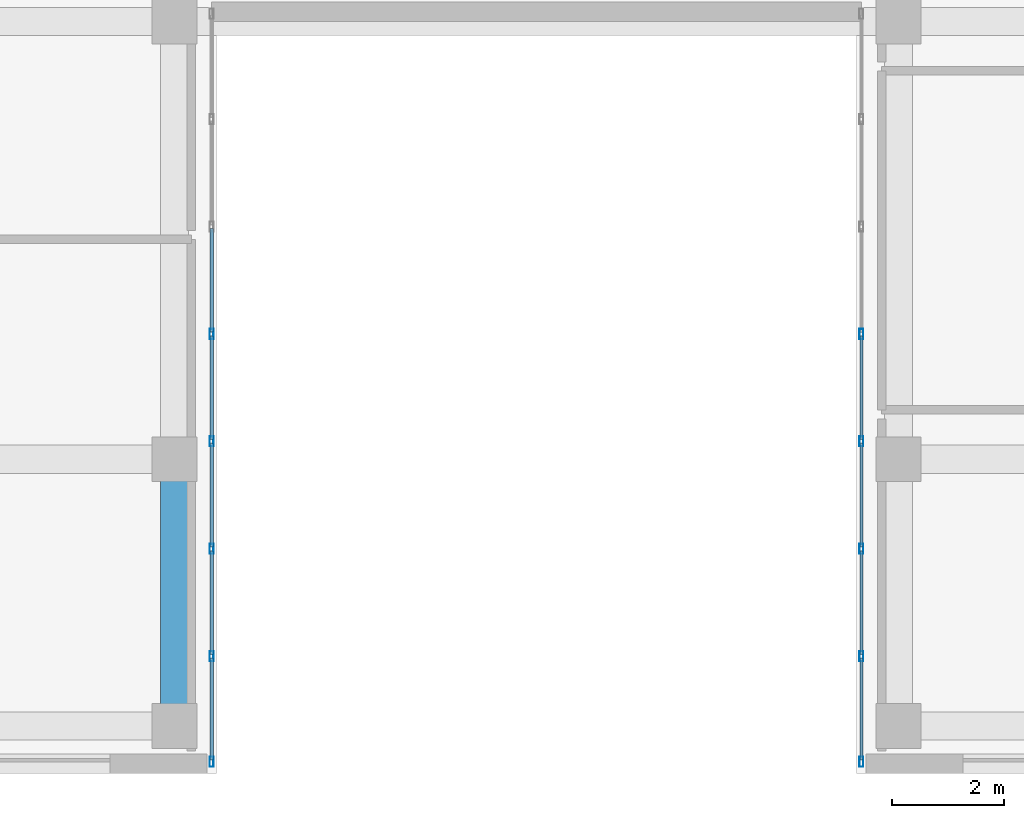
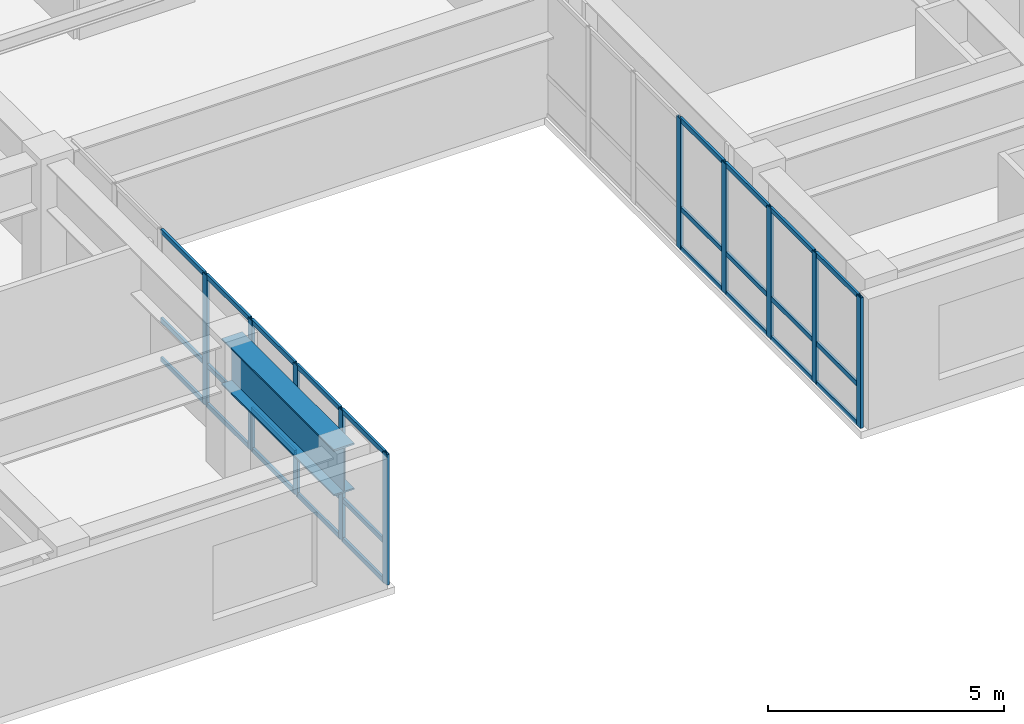
# One storey, part 3 of 14: 37 members, 1 beam, 2 elements without a shape of their own.
"""IFC4 building model written with IfcOpenShell, lengths in metres."""

from ifc_helpers import new_model, si_unit, direction, frame, origin, origin_2d, place, context, subcontext, project, spatial, hollow_rectangle, i_section, extrude, source, transform, mapped, material, layer, layer_set, material_profile, profile_set, type_object, type_shapes, element, aggregate, save


model = new_model("IFC4")

# Units and contexts
model_context = context("Model", 3, precision=1e-05, world=origin(), true_north=direction((0.0, 1.0)))
body_context = subcontext(model_context, "Body", "Model", "MODEL_VIEW")
ifc_project = project(units=[si_unit("LENGTHUNIT", "METRE"), si_unit("AREAUNIT", "SQUARE_METRE"), si_unit("VOLUMEUNIT", "CUBIC_METRE"), si_unit("PLANEANGLEUNIT", "RADIAN"), si_unit("MASSUNIT", "GRAM", prefix="KILO")], contexts=[model_context])

# Site, building, storey
site_placement = place(None, origin())
site = spatial("IfcSite", under=ifc_project, at=site_placement, CompositionType="ELEMENT")
building_placement = place(site_placement, origin())
building = spatial("IfcBuilding", under=site, at=building_placement, Name="Tolvann Quenvar Hotel", CompositionType="ELEMENT")
storey_placement = place(building_placement, frame((0.0, 0.0, 150.60009765625)))
storey = spatial("IfcBuildingStorey", under=building, at=storey_placement, Name="L39", CompositionType="ELEMENT", Elevation=150.60009765625)

# Beam
ifc_material_1 = material(Name="Steel Grade 350", Category="steel")
ifc_material_profile_1 = material_profile(ifc_material_1, i_section(OverallWidth=0.5, OverallDepth=1.199951171875, WebThickness=0.01611328125, FlangeThickness=0.0400390625, at=origin_2d()), Name="1200WB455")
ifc_profile_set_1 = profile_set([ifc_material_profile_1], Name="Steel Grade 350")
beam_type = type_object("IfcBeamType", Name="BM_TG_1200WB455", PredefinedType="USERDEFINED", material=ifc_profile_set_1)
shared_shape_1 = source(origin(), body_context, "Body", "SweptSolid", [
    extrude(i_section(OverallWidth=0.5, OverallDepth=1.199951171875, WebThickness=0.01611328125, FlangeThickness=0.0400390625, at=origin_2d()), origin(), (0.0, 0.0, 1.0), 4.75),
])
type_shapes(beam_type, [shared_shape_1])
beam_placement = place(storey_placement, frame((22.050048828125, 3.449951171875, 2.77001953125), z_axis=(0.0, 1.0, 0.0), x_axis=(-1.0, 0.0, 0.0)))
element("IfcBeam", 1, at=beam_placement, inside=storey, type_object=beam_type, Name="BM-L39-NS-E2-E3", ObjectType="TRANSFER GIRDER", PredefinedType="USERDEFINED", context=body_context, shape_type="MappedRepresentation", body=[
    mapped(shared_shape_1, transform((0.0, 0.0, 0.0), x_axis=(1.0, 0.0, 0.0), y_axis=(0.0, 1.0, 0.0), z_axis=(0.0, 0.0, 1.0), scale=1.0)),
])

# Curtain wall, members
ifc_material_2 = material(Name="Thermally broken anodised architectural aluminium 6063-T6 and laminated low-E glass", Category="aluminium")
ifc_layer = layer(ifc_material_2, 0.179931640625)
ifc_layer_set = layer_set([ifc_layer], Name="Thermally broken anodised architectural aluminium 6063-T6 and laminated low-E glass")
curtain_wall_type = type_object("IfcCurtainWallType", Name="CW_SYS_SLOT_03", PredefinedType="USERDEFINED", material=ifc_layer_set)
curtain_wall_1_placement = place(storey_placement, origin())
curtain_wall_1 = element("IfcCurtainWall", 2, at=curtain_wall_1_placement, inside=storey, type_object=curtain_wall_type, Name="Curtain Wall CW-SLOT-03 (CWR-L39-E05)", ObjectType="UNITISED CURTAIN WALL", PredefinedType="USERDEFINED")
ifc_material_3 = material(Name="Anodised architectural aluminium 6063-T6 framing", Category="aluminium")
ifc_material_profile_2 = material_profile(ifc_material_3, hollow_rectangle(XDim=0.070068359375, YDim=0.179931640625, WallThickness=0.00390625, at=origin_2d()), Name="180x70x4RHS")
ifc_profile_set_2 = profile_set([ifc_material_profile_2], Name="Anodised architectural aluminium 6063-T6 framing")
member_type_1 = type_object("IfcMemberType", Name="CW_MULL_180x70", PredefinedType="MULLION", material=ifc_profile_set_2)
shared_shape_2 = source(origin(), body_context, "Body", "SweptSolid", [
    extrude(hollow_rectangle(XDim=0.070068359375, YDim=0.179931640625, WallThickness=0.00390625, at=origin_2d()), origin(), (0.0, 0.0, 1.0), 3.369873046875),
])
type_shapes(member_type_1, [shared_shape_2])
member_1_placement = place(storey_placement, frame((22.7099609375, 2.81005859375, 0.0), z_axis=(0.0, 0.0, 1.0), x_axis=(-1.0, 0.0, 0.0)))
member_1 = element("IfcMember", 3, at=member_1_placement, type_object=member_type_1, Name="CW-SLOT-03 mullion 1", PredefinedType="MULLION", context=body_context, shape_type="MappedRepresentation", body=[
    mapped(shared_shape_2, transform((0.0, 0.0, 0.0), x_axis=(1.0, 0.0, 0.0), y_axis=(0.0, 1.0, 0.0), z_axis=(0.0, 0.0, 1.0), scale=1.0)),
])
member_2_placement = place(storey_placement, frame((22.7099609375, 4.689208984375, 0.0), z_axis=(0.0, 0.0, 1.0), x_axis=(-1.0, 0.0, 0.0)))
member_2 = element("IfcMember", 4, at=member_2_placement, type_object=member_type_1, Name="CW-SLOT-03 mullion 2", PredefinedType="MULLION", context=body_context, shape_type="MappedRepresentation", body=[
    mapped(shared_shape_2, transform((0.0, 0.0, 0.0), x_axis=(1.0, 0.0, 0.0), y_axis=(0.0, 1.0, 0.0), z_axis=(0.0, 0.0, 1.0), scale=1.0)),
])
member_3_placement = place(storey_placement, frame((22.7099609375, 6.603515625, 0.0), z_axis=(0.0, 0.0, 1.0), x_axis=(-1.0, 0.0, 0.0)))
member_3 = element("IfcMember", 5, at=member_3_placement, type_object=member_type_1, Name="CW-SLOT-03 mullion 3", PredefinedType="MULLION", context=body_context, shape_type="MappedRepresentation", body=[
    mapped(shared_shape_2, transform((0.0, 0.0, 0.0), x_axis=(1.0, 0.0, 0.0), y_axis=(0.0, 1.0, 0.0), z_axis=(0.0, 0.0, 1.0), scale=1.0)),
])
member_4_placement = place(storey_placement, frame((22.7099609375, 8.517822265625, 0.0), z_axis=(0.0, 0.0, 1.0), x_axis=(-1.0, 0.0, 0.0)))
member_4 = element("IfcMember", 6, at=member_4_placement, type_object=member_type_1, Name="CW-SLOT-03 mullion 4", PredefinedType="MULLION", context=body_context, shape_type="MappedRepresentation", body=[
    mapped(shared_shape_2, transform((0.0, 0.0, 0.0), x_axis=(1.0, 0.0, 0.0), y_axis=(0.0, 1.0, 0.0), z_axis=(0.0, 0.0, 1.0), scale=1.0)),
])
member_5_placement = place(storey_placement, frame((22.7099609375, 10.43212890625, 0.0), z_axis=(0.0, 0.0, 1.0), x_axis=(-1.0, 0.0, 0.0)))
member_5 = element("IfcMember", 7, at=member_5_placement, type_object=member_type_1, Name="CW-SLOT-03 mullion 5", PredefinedType="MULLION", context=body_context, shape_type="MappedRepresentation", body=[
    mapped(shared_shape_2, transform((0.0, 0.0, 0.0), x_axis=(1.0, 0.0, 0.0), y_axis=(0.0, 1.0, 0.0), z_axis=(0.0, 0.0, 1.0), scale=1.0)),
])

curtain_wall_2_placement = place(storey_placement, origin())
curtain_wall_2 = element("IfcCurtainWall", 8, at=curtain_wall_2_placement, inside=storey, type_object=curtain_wall_type, Name="Curtain Wall CW-SLOT-03 (CWR-L39-E07)", ObjectType="UNITISED CURTAIN WALL", PredefinedType="USERDEFINED")
member_6_placement = place(storey_placement, frame((34.2900390625, 10.43212890625, 0.0), z_axis=(0.0, 0.0, 1.0), x_axis=(1.0, 0.0, 0.0)))
member_6 = element("IfcMember", 9, at=member_6_placement, type_object=member_type_1, Name="CW-SLOT-03 mullion 4", PredefinedType="MULLION", context=body_context, shape_type="MappedRepresentation", body=[
    mapped(shared_shape_2, transform((0.0, 0.0, 0.0), x_axis=(1.0, 0.0, 0.0), y_axis=(0.0, 1.0, 0.0), z_axis=(0.0, 0.0, 1.0), scale=1.0)),
])
member_7_placement = place(storey_placement, frame((34.2900390625, 8.517822265625, 0.0), z_axis=(0.0, 0.0, 1.0), x_axis=(1.0, 0.0, 0.0)))
member_7 = element("IfcMember", 10, at=member_7_placement, type_object=member_type_1, Name="CW-SLOT-03 mullion 5", PredefinedType="MULLION", context=body_context, shape_type="MappedRepresentation", body=[
    mapped(shared_shape_2, transform((0.0, 0.0, 0.0), x_axis=(1.0, 0.0, 0.0), y_axis=(0.0, 1.0, 0.0), z_axis=(0.0, 0.0, 1.0), scale=1.0)),
])
member_8_placement = place(storey_placement, frame((34.2900390625, 6.603515625, 0.0), z_axis=(0.0, 0.0, 1.0), x_axis=(1.0, 0.0, 0.0)))
member_8 = element("IfcMember", 11, at=member_8_placement, type_object=member_type_1, Name="CW-SLOT-03 mullion 6", PredefinedType="MULLION", context=body_context, shape_type="MappedRepresentation", body=[
    mapped(shared_shape_2, transform((0.0, 0.0, 0.0), x_axis=(1.0, 0.0, 0.0), y_axis=(0.0, 1.0, 0.0), z_axis=(0.0, 0.0, 1.0), scale=1.0)),
])
member_9_placement = place(storey_placement, frame((34.2900390625, 4.689208984375, 0.0), z_axis=(0.0, 0.0, 1.0), x_axis=(1.0, 0.0, 0.0)))
member_9 = element("IfcMember", 12, at=member_9_placement, type_object=member_type_1, Name="CW-SLOT-03 mullion 7", PredefinedType="MULLION", context=body_context, shape_type="MappedRepresentation", body=[
    mapped(shared_shape_2, transform((0.0, 0.0, 0.0), x_axis=(1.0, 0.0, 0.0), y_axis=(0.0, 1.0, 0.0), z_axis=(0.0, 0.0, 1.0), scale=1.0)),
])
member_10_placement = place(storey_placement, frame((34.2900390625, 2.81005859375, 0.0), z_axis=(0.0, 0.0, 1.0), x_axis=(1.0, 0.0, 0.0)))
member_10 = element("IfcMember", 13, at=member_10_placement, type_object=member_type_1, Name="CW-SLOT-03 mullion 8", PredefinedType="MULLION", context=body_context, shape_type="MappedRepresentation", body=[
    mapped(shared_shape_2, transform((0.0, 0.0, 0.0), x_axis=(1.0, 0.0, 0.0), y_axis=(0.0, 1.0, 0.0), z_axis=(0.0, 0.0, 1.0), scale=1.0)),
])

# Member
ifc_material_profile_3 = material_profile(ifc_material_3, hollow_rectangle(XDim=0.06005859375, YDim=0.1201171875, WallThickness=0.00341796875, at=origin_2d()), Name="120x60x3.5RHS")
ifc_profile_set_3 = profile_set([ifc_material_profile_3], Name="Anodised architectural aluminium 6063-T6 framing")
member_type_2 = type_object("IfcMemberType", Name="CW_TRAN_120x60", PredefinedType="USERDEFINED", material=ifc_profile_set_3)
shared_shape_3 = source(origin(), body_context, "Body", "SweptSolid", [
    extrude(hollow_rectangle(XDim=0.06005859375, YDim=0.1201171875, WallThickness=0.00341796875, at=origin_2d()), origin(), (0.0, 0.0, 1.0), 1.809326171875),
])
member_11_placement = place(storey_placement, frame((22.7099609375, 2.844970703125, 0.02978515625), z_axis=(0.0, 1.0, 0.0), x_axis=(-1.0, 0.0, 0.0)))
member_11 = element("IfcMember", 14, at=member_11_placement, type_object=member_type_2, Name="CW-SLOT-03 transom 1.1", ObjectType="TRANSOM", PredefinedType="USERDEFINED", context=body_context, shape_type="MappedRepresentation", body=[
    mapped(shared_shape_3, transform((0.0, 0.0, 0.0), x_axis=(1.0, 0.0, 0.0), y_axis=(0.0, 1.0, 0.0), z_axis=(0.0, 0.0, 1.0), scale=1.0)),
])

member_12_placement = place(storey_placement, frame((22.7099609375, 2.844970703125, 1.0498046875), z_axis=(0.0, 1.0, 0.0), x_axis=(-1.0, 0.0, 0.0)))
member_12 = element("IfcMember", 15, at=member_12_placement, type_object=member_type_2, Name="CW-SLOT-03 transom 1.2", ObjectType="TRANSOM", PredefinedType="USERDEFINED", context=body_context, shape_type="MappedRepresentation", body=[
    mapped(shared_shape_3, transform((0.0, 0.0, 0.0), x_axis=(1.0, 0.0, 0.0), y_axis=(0.0, 1.0, 0.0), z_axis=(0.0, 0.0, 1.0), scale=1.0)),
])

member_13_placement = place(storey_placement, frame((22.7099609375, 2.844970703125, 3.33984375), z_axis=(0.0, 1.0, 0.0), x_axis=(-1.0, 0.0, 0.0)))
member_13 = element("IfcMember", 16, at=member_13_placement, type_object=member_type_2, Name="CW-SLOT-03 transom 1.3", ObjectType="TRANSOM", PredefinedType="USERDEFINED", context=body_context, shape_type="MappedRepresentation", body=[
    mapped(shared_shape_3, transform((0.0, 0.0, 0.0), x_axis=(1.0, 0.0, 0.0), y_axis=(0.0, 1.0, 0.0), z_axis=(0.0, 0.0, 1.0), scale=1.0)),
])

member_14_placement = place(storey_placement, frame((34.2900390625, 4.654296875, 0.02978515625), z_axis=(0.0, -1.0, 0.0), x_axis=(1.0, 0.0, 0.0)))
member_14 = element("IfcMember", 17, at=member_14_placement, type_object=member_type_2, Name="CW-SLOT-03 transom 7.1", ObjectType="TRANSOM", PredefinedType="USERDEFINED", context=body_context, shape_type="MappedRepresentation", body=[
    mapped(shared_shape_3, transform((0.0, 0.0, 0.0), x_axis=(1.0, 0.0, 0.0), y_axis=(0.0, 1.0, 0.0), z_axis=(0.0, 0.0, 1.0), scale=1.0)),
])

member_15_placement = place(storey_placement, frame((34.2900390625, 4.654296875, 1.0498046875), z_axis=(0.0, -1.0, 0.0), x_axis=(1.0, 0.0, 0.0)))
member_15 = element("IfcMember", 18, at=member_15_placement, type_object=member_type_2, Name="CW-SLOT-03 transom 7.2", ObjectType="TRANSOM", PredefinedType="USERDEFINED", context=body_context, shape_type="MappedRepresentation", body=[
    mapped(shared_shape_3, transform((0.0, 0.0, 0.0), x_axis=(1.0, 0.0, 0.0), y_axis=(0.0, 1.0, 0.0), z_axis=(0.0, 0.0, 1.0), scale=1.0)),
])

member_16_placement = place(storey_placement, frame((34.2900390625, 4.654296875, 3.33984375), z_axis=(0.0, -1.0, 0.0), x_axis=(1.0, 0.0, 0.0)))
member_16 = element("IfcMember", 19, at=member_16_placement, type_object=member_type_2, Name="CW-SLOT-03 transom 7.3", ObjectType="TRANSOM", PredefinedType="USERDEFINED", context=body_context, shape_type="MappedRepresentation", body=[
    mapped(shared_shape_3, transform((0.0, 0.0, 0.0), x_axis=(1.0, 0.0, 0.0), y_axis=(0.0, 1.0, 0.0), z_axis=(0.0, 0.0, 1.0), scale=1.0)),
])

shared_shape_4 = source(origin(), body_context, "Body", "SweptSolid", [
    extrude(hollow_rectangle(XDim=0.06005859375, YDim=0.1201171875, WallThickness=0.00341796875, at=origin_2d()), origin(), (0.0, 0.0, 1.0), 1.84423828125),
])
member_17_placement = place(storey_placement, frame((22.7099609375, 4.724365234375, 0.02978515625), z_axis=(0.0, 1.0, 0.0), x_axis=(-1.0, 0.0, 0.0)))
member_17 = element("IfcMember", 20, at=member_17_placement, type_object=member_type_2, Name="CW-SLOT-03 transom 2.1", ObjectType="TRANSOM", PredefinedType="USERDEFINED", context=body_context, shape_type="MappedRepresentation", body=[
    mapped(shared_shape_4, transform((0.0, 0.0, 0.0), x_axis=(1.0, 0.0, 0.0), y_axis=(0.0, 1.0, 0.0), z_axis=(0.0, 0.0, 1.0), scale=1.0)),
])

member_18_placement = place(storey_placement, frame((22.7099609375, 4.724365234375, 1.0498046875), z_axis=(0.0, 1.0, 0.0), x_axis=(-1.0, 0.0, 0.0)))
member_18 = element("IfcMember", 21, at=member_18_placement, type_object=member_type_2, Name="CW-SLOT-03 transom 2.2", ObjectType="TRANSOM", PredefinedType="USERDEFINED", context=body_context, shape_type="MappedRepresentation", body=[
    mapped(shared_shape_4, transform((0.0, 0.0, 0.0), x_axis=(1.0, 0.0, 0.0), y_axis=(0.0, 1.0, 0.0), z_axis=(0.0, 0.0, 1.0), scale=1.0)),
])

member_19_placement = place(storey_placement, frame((22.7099609375, 4.724365234375, 3.33984375), z_axis=(0.0, 1.0, 0.0), x_axis=(-1.0, 0.0, 0.0)))
member_19 = element("IfcMember", 22, at=member_19_placement, type_object=member_type_2, Name="CW-SLOT-03 transom 2.3", ObjectType="TRANSOM", PredefinedType="USERDEFINED", context=body_context, shape_type="MappedRepresentation", body=[
    mapped(shared_shape_4, transform((0.0, 0.0, 0.0), x_axis=(1.0, 0.0, 0.0), y_axis=(0.0, 1.0, 0.0), z_axis=(0.0, 0.0, 1.0), scale=1.0)),
])

member_20_placement = place(storey_placement, frame((22.7099609375, 6.638671875, 0.02978515625), z_axis=(0.0, 1.0, 0.0), x_axis=(-1.0, 0.0, 0.0)))
member_20 = element("IfcMember", 23, at=member_20_placement, type_object=member_type_2, Name="CW-SLOT-03 transom 3.1", ObjectType="TRANSOM", PredefinedType="USERDEFINED", context=body_context, shape_type="MappedRepresentation", body=[
    mapped(shared_shape_4, transform((0.0, 0.0, 0.0), x_axis=(1.0, 0.0, 0.0), y_axis=(0.0, 1.0, 0.0), z_axis=(0.0, 0.0, 1.0), scale=1.0)),
])

member_21_placement = place(storey_placement, frame((22.7099609375, 6.638671875, 1.0498046875), z_axis=(0.0, 1.0, 0.0), x_axis=(-1.0, 0.0, 0.0)))
member_21 = element("IfcMember", 24, at=member_21_placement, type_object=member_type_2, Name="CW-SLOT-03 transom 3.2", ObjectType="TRANSOM", PredefinedType="USERDEFINED", context=body_context, shape_type="MappedRepresentation", body=[
    mapped(shared_shape_4, transform((0.0, 0.0, 0.0), x_axis=(1.0, 0.0, 0.0), y_axis=(0.0, 1.0, 0.0), z_axis=(0.0, 0.0, 1.0), scale=1.0)),
])

member_22_placement = place(storey_placement, frame((22.7099609375, 6.638671875, 3.33984375), z_axis=(0.0, 1.0, 0.0), x_axis=(-1.0, 0.0, 0.0)))
member_22 = element("IfcMember", 25, at=member_22_placement, type_object=member_type_2, Name="CW-SLOT-03 transom 3.3", ObjectType="TRANSOM", PredefinedType="USERDEFINED", context=body_context, shape_type="MappedRepresentation", body=[
    mapped(shared_shape_4, transform((0.0, 0.0, 0.0), x_axis=(1.0, 0.0, 0.0), y_axis=(0.0, 1.0, 0.0), z_axis=(0.0, 0.0, 1.0), scale=1.0)),
])

member_23_placement = place(storey_placement, frame((22.7099609375, 8.552978515625, 0.02978515625), z_axis=(0.0, 1.0, 0.0), x_axis=(-1.0, 0.0, 0.0)))
member_23 = element("IfcMember", 26, at=member_23_placement, type_object=member_type_2, Name="CW-SLOT-03 transom 4.1", ObjectType="TRANSOM", PredefinedType="USERDEFINED", context=body_context, shape_type="MappedRepresentation", body=[
    mapped(shared_shape_4, transform((0.0, 0.0, 0.0), x_axis=(1.0, 0.0, 0.0), y_axis=(0.0, 1.0, 0.0), z_axis=(0.0, 0.0, 1.0), scale=1.0)),
])

member_24_placement = place(storey_placement, frame((22.7099609375, 8.552978515625, 1.0498046875), z_axis=(0.0, 1.0, 0.0), x_axis=(-1.0, 0.0, 0.0)))
member_24 = element("IfcMember", 27, at=member_24_placement, type_object=member_type_2, Name="CW-SLOT-03 transom 4.2", ObjectType="TRANSOM", PredefinedType="USERDEFINED", context=body_context, shape_type="MappedRepresentation", body=[
    mapped(shared_shape_4, transform((0.0, 0.0, 0.0), x_axis=(1.0, 0.0, 0.0), y_axis=(0.0, 1.0, 0.0), z_axis=(0.0, 0.0, 1.0), scale=1.0)),
])

member_25_placement = place(storey_placement, frame((22.7099609375, 8.552978515625, 3.33984375), z_axis=(0.0, 1.0, 0.0), x_axis=(-1.0, 0.0, 0.0)))
member_25 = element("IfcMember", 28, at=member_25_placement, type_object=member_type_2, Name="CW-SLOT-03 transom 4.3", ObjectType="TRANSOM", PredefinedType="USERDEFINED", context=body_context, shape_type="MappedRepresentation", body=[
    mapped(shared_shape_4, transform((0.0, 0.0, 0.0), x_axis=(1.0, 0.0, 0.0), y_axis=(0.0, 1.0, 0.0), z_axis=(0.0, 0.0, 1.0), scale=1.0)),
])

member_26_placement = place(storey_placement, frame((34.2900390625, 10.397216796875, 0.02978515625), z_axis=(0.0, -1.0, 0.0), x_axis=(1.0, 0.0, 0.0)))
member_26 = element("IfcMember", 29, at=member_26_placement, type_object=member_type_2, Name="CW-SLOT-03 transom 4.1", ObjectType="TRANSOM", PredefinedType="USERDEFINED", context=body_context, shape_type="MappedRepresentation", body=[
    mapped(shared_shape_4, transform((0.0, 0.0, 0.0), x_axis=(1.0, 0.0, 0.0), y_axis=(0.0, 1.0, 0.0), z_axis=(0.0, 0.0, 1.0), scale=1.0)),
])

member_27_placement = place(storey_placement, frame((34.2900390625, 10.397216796875, 1.0498046875), z_axis=(0.0, -1.0, 0.0), x_axis=(1.0, 0.0, 0.0)))
member_27 = element("IfcMember", 30, at=member_27_placement, type_object=member_type_2, Name="CW-SLOT-03 transom 4.2", ObjectType="TRANSOM", PredefinedType="USERDEFINED", context=body_context, shape_type="MappedRepresentation", body=[
    mapped(shared_shape_4, transform((0.0, 0.0, 0.0), x_axis=(1.0, 0.0, 0.0), y_axis=(0.0, 1.0, 0.0), z_axis=(0.0, 0.0, 1.0), scale=1.0)),
])

member_28_placement = place(storey_placement, frame((34.2900390625, 10.397216796875, 3.33984375), z_axis=(0.0, -1.0, 0.0), x_axis=(1.0, 0.0, 0.0)))
member_28 = element("IfcMember", 31, at=member_28_placement, type_object=member_type_2, Name="CW-SLOT-03 transom 4.3", ObjectType="TRANSOM", PredefinedType="USERDEFINED", context=body_context, shape_type="MappedRepresentation", body=[
    mapped(shared_shape_4, transform((0.0, 0.0, 0.0), x_axis=(1.0, 0.0, 0.0), y_axis=(0.0, 1.0, 0.0), z_axis=(0.0, 0.0, 1.0), scale=1.0)),
])

member_29_placement = place(storey_placement, frame((34.2900390625, 8.48291015625, 0.02978515625), z_axis=(0.0, -1.0, 0.0), x_axis=(1.0, 0.0, 0.0)))
member_29 = element("IfcMember", 32, at=member_29_placement, type_object=member_type_2, Name="CW-SLOT-03 transom 5.1", ObjectType="TRANSOM", PredefinedType="USERDEFINED", context=body_context, shape_type="MappedRepresentation", body=[
    mapped(shared_shape_4, transform((0.0, 0.0, 0.0), x_axis=(1.0, 0.0, 0.0), y_axis=(0.0, 1.0, 0.0), z_axis=(0.0, 0.0, 1.0), scale=1.0)),
])

member_30_placement = place(storey_placement, frame((34.2900390625, 8.48291015625, 1.0498046875), z_axis=(0.0, -1.0, 0.0), x_axis=(1.0, 0.0, 0.0)))
member_30 = element("IfcMember", 33, at=member_30_placement, type_object=member_type_2, Name="CW-SLOT-03 transom 5.2", ObjectType="TRANSOM", PredefinedType="USERDEFINED", context=body_context, shape_type="MappedRepresentation", body=[
    mapped(shared_shape_4, transform((0.0, 0.0, 0.0), x_axis=(1.0, 0.0, 0.0), y_axis=(0.0, 1.0, 0.0), z_axis=(0.0, 0.0, 1.0), scale=1.0)),
])

member_31_placement = place(storey_placement, frame((34.2900390625, 8.48291015625, 3.33984375), z_axis=(0.0, -1.0, 0.0), x_axis=(1.0, 0.0, 0.0)))
member_31 = element("IfcMember", 34, at=member_31_placement, type_object=member_type_2, Name="CW-SLOT-03 transom 5.3", ObjectType="TRANSOM", PredefinedType="USERDEFINED", context=body_context, shape_type="MappedRepresentation", body=[
    mapped(shared_shape_4, transform((0.0, 0.0, 0.0), x_axis=(1.0, 0.0, 0.0), y_axis=(0.0, 1.0, 0.0), z_axis=(0.0, 0.0, 1.0), scale=1.0)),
])

member_32_placement = place(storey_placement, frame((34.2900390625, 6.568603515625, 0.02978515625), z_axis=(0.0, -1.0, 0.0), x_axis=(1.0, 0.0, 0.0)))
member_32 = element("IfcMember", 35, at=member_32_placement, type_object=member_type_2, Name="CW-SLOT-03 transom 6.1", ObjectType="TRANSOM", PredefinedType="USERDEFINED", context=body_context, shape_type="MappedRepresentation", body=[
    mapped(shared_shape_4, transform((0.0, 0.0, 0.0), x_axis=(1.0, 0.0, 0.0), y_axis=(0.0, 1.0, 0.0), z_axis=(0.0, 0.0, 1.0), scale=1.0)),
])

member_33_placement = place(storey_placement, frame((34.2900390625, 6.568603515625, 1.0498046875), z_axis=(0.0, -1.0, 0.0), x_axis=(1.0, 0.0, 0.0)))
member_33 = element("IfcMember", 36, at=member_33_placement, type_object=member_type_2, Name="CW-SLOT-03 transom 6.2", ObjectType="TRANSOM", PredefinedType="USERDEFINED", context=body_context, shape_type="MappedRepresentation", body=[
    mapped(shared_shape_4, transform((0.0, 0.0, 0.0), x_axis=(1.0, 0.0, 0.0), y_axis=(0.0, 1.0, 0.0), z_axis=(0.0, 0.0, 1.0), scale=1.0)),
])

member_34_placement = place(storey_placement, frame((34.2900390625, 6.568603515625, 3.33984375), z_axis=(0.0, -1.0, 0.0), x_axis=(1.0, 0.0, 0.0)))
member_34 = element("IfcMember", 37, at=member_34_placement, type_object=member_type_2, Name="CW-SLOT-03 transom 6.3", ObjectType="TRANSOM", PredefinedType="USERDEFINED", context=body_context, shape_type="MappedRepresentation", body=[
    mapped(shared_shape_4, transform((0.0, 0.0, 0.0), x_axis=(1.0, 0.0, 0.0), y_axis=(0.0, 1.0, 0.0), z_axis=(0.0, 0.0, 1.0), scale=1.0)),
])

aggregate(curtain_wall_2, [member_6, member_7, member_8, member_9, member_10, member_26, member_27, member_28, member_29, member_30, member_31, member_32, member_33, member_34, member_14, member_15, member_16])

shared_shape_5 = source(origin(), body_context, "Body", "SweptSolid", [
    extrude(hollow_rectangle(XDim=0.06005859375, YDim=0.1201171875, WallThickness=0.00341796875, at=origin_2d()), origin(), (0.0, 0.0, 1.0), 1.844482421875),
])
type_shapes(member_type_2, [shared_shape_3, shared_shape_4, shared_shape_5])
member_35_placement = place(storey_placement, frame((22.7099609375, 10.467041015625, 0.02978515625), z_axis=(0.0, 1.0, 0.0), x_axis=(-1.0, 0.0, 0.0)))
member_35 = element("IfcMember", 38, at=member_35_placement, type_object=member_type_2, Name="CW-SLOT-03 transom 5.1", ObjectType="TRANSOM", PredefinedType="USERDEFINED", context=body_context, shape_type="MappedRepresentation", body=[
    mapped(shared_shape_5, transform((0.0, 0.0, 0.0), x_axis=(1.0, 0.0, 0.0), y_axis=(0.0, 1.0, 0.0), z_axis=(0.0, 0.0, 1.0), scale=1.0)),
])

member_36_placement = place(storey_placement, frame((22.7099609375, 10.467041015625, 1.0498046875), z_axis=(0.0, 1.0, 0.0), x_axis=(-1.0, 0.0, 0.0)))
member_36 = element("IfcMember", 39, at=member_36_placement, type_object=member_type_2, Name="CW-SLOT-03 transom 5.2", ObjectType="TRANSOM", PredefinedType="USERDEFINED", context=body_context, shape_type="MappedRepresentation", body=[
    mapped(shared_shape_5, transform((0.0, 0.0, 0.0), x_axis=(1.0, 0.0, 0.0), y_axis=(0.0, 1.0, 0.0), z_axis=(0.0, 0.0, 1.0), scale=1.0)),
])

member_37_placement = place(storey_placement, frame((22.7099609375, 10.467041015625, 3.33984375), z_axis=(0.0, 1.0, 0.0), x_axis=(-1.0, 0.0, 0.0)))
member_37 = element("IfcMember", 40, at=member_37_placement, type_object=member_type_2, Name="CW-SLOT-03 transom 5.3", ObjectType="TRANSOM", PredefinedType="USERDEFINED", context=body_context, shape_type="MappedRepresentation", body=[
    mapped(shared_shape_5, transform((0.0, 0.0, 0.0), x_axis=(1.0, 0.0, 0.0), y_axis=(0.0, 1.0, 0.0), z_axis=(0.0, 0.0, 1.0), scale=1.0)),
])

aggregate(curtain_wall_1, [member_1, member_2, member_3, member_4, member_5, member_11, member_12, member_13, member_17, member_18, member_19, member_20, member_21, member_22, member_23, member_24, member_25, member_35, member_36, member_37])

save(model, "model.ifc")
